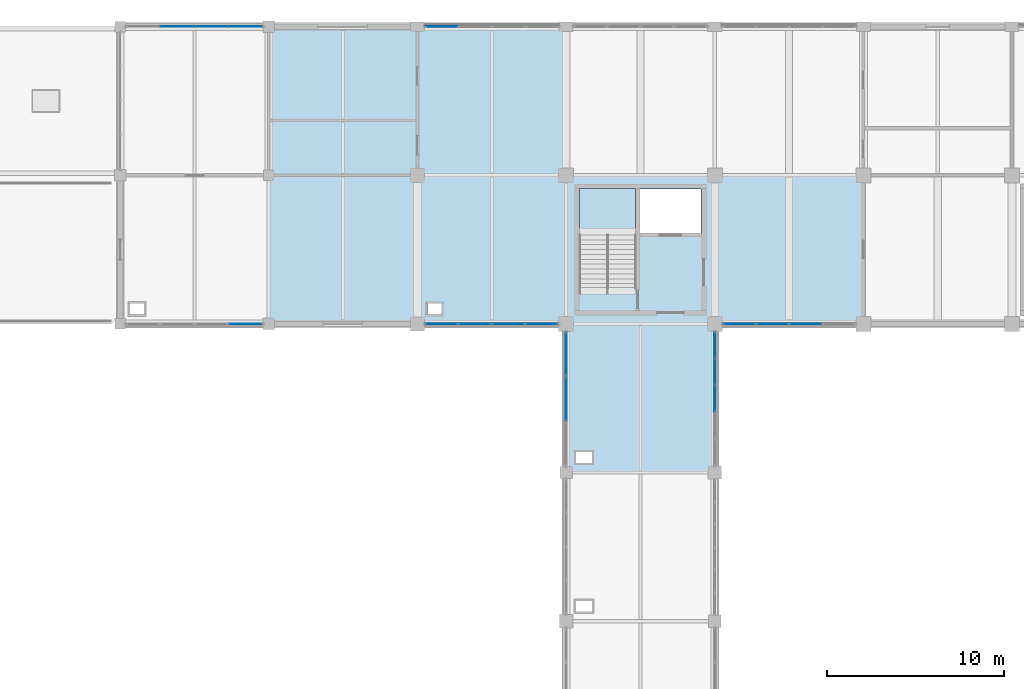
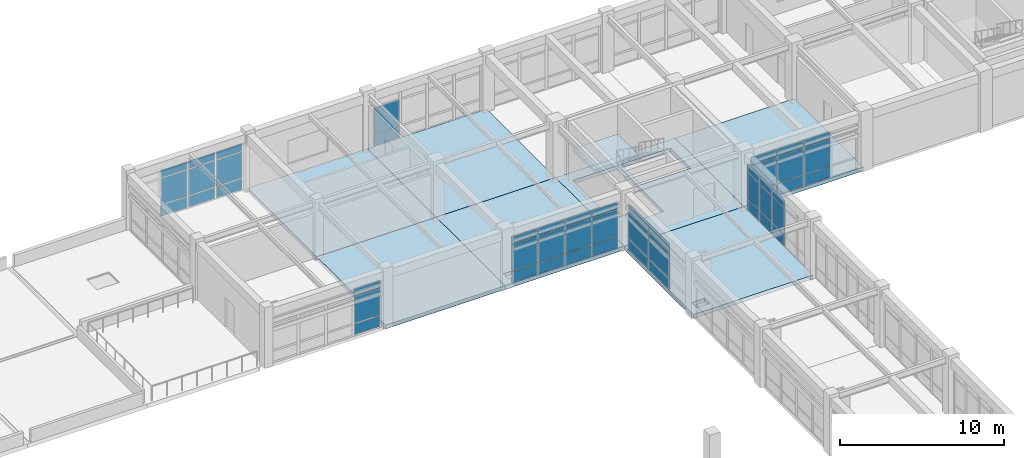
# One storey, part 48 of 78: 50 plates, 8 slabs, 8 elements without a shape of their own.
"""IFC4 building model written with IfcOpenShell, lengths in metres."""

from ifc_helpers import new_model, si_unit, direction, frame, origin, origin_2d, place, context, subcontext, project, spatial, polyline, rectangle, outline, extrude, material, layer, layer_set, type_object, element, aggregate, save


model = new_model("IFC4")

# Units and contexts
model_context = context("Model", 3, precision=1e-05, world=origin(), true_north=direction((0.0, 1.0)))
body_context = subcontext(model_context, "Body", "Model", "MODEL_VIEW")
ifc_project = project(units=[si_unit("LENGTHUNIT", "METRE"), si_unit("AREAUNIT", "SQUARE_METRE"), si_unit("VOLUMEUNIT", "CUBIC_METRE"), si_unit("PLANEANGLEUNIT", "RADIAN"), si_unit("MASSUNIT", "GRAM", prefix="KILO")], contexts=[model_context])

# Site, building, storey
site_placement = place(None, origin())
site = spatial("IfcSite", under=ifc_project, at=site_placement, CompositionType="ELEMENT")
building_placement = place(site_placement, origin())
building = spatial("IfcBuilding", under=site, at=building_placement, Name="Porcellanite Civic Hall", CompositionType="ELEMENT")
storey_placement = place(building_placement, frame((0.0, 0.0, 10.260009765625)))
storey = spatial("IfcBuildingStorey", under=building, at=storey_placement, Name="L02", CompositionType="ELEMENT", Elevation=10.260009765625)

# Curtain wall, plates
ifc_material_1 = material(Name="Anodised aluminium and solar laminated glass", Category="aluminium")
ifc_layer_1 = layer(ifc_material_1, 0.179931640625)
ifc_layer_set_1 = layer_set([ifc_layer_1], Name="Anodised aluminium and solar laminated glass")
curtain_wall_type_1 = type_object("IfcCurtainWallType", Name="CW-SYS06", PredefinedType="NOTDEFINED", material=ifc_layer_set_1)
curtain_wall_1_placement = place(storey_placement, origin())
curtain_wall_1 = element("IfcCurtainWall", 1, at=curtain_wall_1_placement, inside=storey, type_object=curtain_wall_type_1, Name="Curtain wall CW-140", PredefinedType="NOTDEFINED")
ifc_material_2 = material(Name="Cyclone laminated solar-control low-E glass", Category="glass")
ifc_layer_2 = layer(ifc_material_2, 0.02392578125)
ifc_layer_set_2 = layer_set([ifc_layer_2], Name="Cyclone laminated solar-control low-E glass")
plate_type_1 = type_object("IfcPlateType", Name="CWP-01", PredefinedType="CURTAIN_PANEL", material=ifc_layer_set_2)
plate_1_placement = place(storey_placement, frame((43.366943359375, 117.60009765625, 0.0498046875), z_axis=(0.0, 0.0, 1.0), x_axis=(1.0, 0.0, 0.0)))
plate_1 = element("IfcPlate", 2, at=plate_1_placement, type_object=plate_type_1, Name="CW-140 panel 1.1", PredefinedType="CURTAIN_PANEL", context=body_context, shape_type="SweptSolid", body=[
    extrude(rectangle(XDim=1.802001953125, YDim=0.02392578125, at=origin_2d()), origin(), (0.0, 0.0, 1.0), 0.824951171875),
])
plate_2_placement = place(storey_placement, frame((43.366943359375, 117.60009765625, 0.925048828125), z_axis=(0.0, 0.0, 1.0), x_axis=(1.0, 0.0, 0.0)))
plate_2 = element("IfcPlate", 3, at=plate_2_placement, type_object=plate_type_1, Name="CW-140 panel 1.2", PredefinedType="CURTAIN_PANEL", context=body_context, shape_type="SweptSolid", body=[
    extrude(rectangle(XDim=1.802001953125, YDim=0.02392578125, at=origin_2d()), origin(), (0.0, 0.0, 1.0), 1.93994140625),
])
aggregate(curtain_wall_1, [plate_1, plate_2])

ifc_material_3 = material(Name="Anodised aluminium and solar laminated glass", Category="aluminium")
ifc_layer_3 = layer(ifc_material_3, 0.179931640625)
ifc_layer_set_3 = layer_set([ifc_layer_3], Name="Anodised aluminium and solar laminated glass")
curtain_wall_type_2 = type_object("IfcCurtainWallType", Name="CW-SYS04", PredefinedType="NOTDEFINED", material=ifc_layer_set_3)
curtain_wall_2_placement = place(storey_placement, origin())
curtain_wall_2 = element("IfcCurtainWall", 4, at=curtain_wall_2_placement, inside=storey, type_object=curtain_wall_type_2, Name="Curtain wall CW-151", PredefinedType="NOTDEFINED")
ifc_material_4 = material(Name="Cyclone laminated solar-control low-E glass", Category="glass")
ifc_layer_4 = layer(ifc_material_4, 0.02587890625)
ifc_layer_set_4 = layer_set([ifc_layer_4], Name="Cyclone laminated solar-control low-E glass")
plate_type_2 = type_object("IfcPlateType", Name="CWP-02", PredefinedType="CURTAIN_PANEL", material=ifc_layer_set_4)
plate_3_placement = place(storey_placement, frame((63.943603515625, 100.800048828125, 0.054931640625), z_axis=(0.0, 0.0, 1.0), x_axis=(-1.0, 0.0, 0.0)))
plate_3 = element("IfcPlate", 5, at=plate_3_placement, type_object=plate_type_2, Name="CW-151 panel 2.1", PredefinedType="CURTAIN_PANEL", context=body_context, shape_type="SweptSolid", body=[
    extrude(rectangle(XDim=1.81201171875, YDim=0.02587890625, at=origin_2d()), origin(), (0.0, 0.0, 1.0), 0.8173828125),
])
plate_4_placement = place(storey_placement, frame((63.943603515625, 100.800048828125, 0.927490234375), z_axis=(0.0, 0.0, 1.0), x_axis=(-1.0, 0.0, 0.0)))
plate_4 = element("IfcPlate", 6, at=plate_4_placement, type_object=plate_type_2, Name="CW-151 panel 2.2", PredefinedType="CURTAIN_PANEL", context=body_context, shape_type="SweptSolid", body=[
    extrude(rectangle(XDim=1.81201171875, YDim=0.02587890625, at=origin_2d()), origin(), (0.0, 0.0, 1.0), 1.93505859375),
])
plate_5_placement = place(storey_placement, frame((63.943603515625, 100.800048828125, 2.91748046875), z_axis=(0.0, 0.0, 1.0), x_axis=(-1.0, 0.0, 0.0)))
plate_5 = element("IfcPlate", 7, at=plate_5_placement, type_object=plate_type_2, Name="CW-151 panel 2.3", PredefinedType="CURTAIN_PANEL", context=body_context, shape_type="SweptSolid", body=[
    extrude(rectangle(XDim=1.81201171875, YDim=0.02587890625, at=origin_2d()), origin(), (0.0, 0.0, 1.0), 0.5673828125),
])
plate_6_placement = place(storey_placement, frame((62.056396484375, 100.800048828125, 0.054931640625), z_axis=(0.0, 0.0, 1.0), x_axis=(-1.0, 0.0, 0.0)))
plate_6 = element("IfcPlate", 8, at=plate_6_placement, type_object=plate_type_2, Name="CW-151 panel 3.1", PredefinedType="CURTAIN_PANEL", context=body_context, shape_type="SweptSolid", body=[
    extrude(rectangle(XDim=1.81201171875, YDim=0.02587890625, at=origin_2d()), origin(), (0.0, 0.0, 1.0), 0.8173828125),
])
plate_7_placement = place(storey_placement, frame((62.056396484375, 100.800048828125, 0.927490234375), z_axis=(0.0, 0.0, 1.0), x_axis=(-1.0, 0.0, 0.0)))
plate_7 = element("IfcPlate", 9, at=plate_7_placement, type_object=plate_type_2, Name="CW-151 panel 3.2", PredefinedType="CURTAIN_PANEL", context=body_context, shape_type="SweptSolid", body=[
    extrude(rectangle(XDim=1.81201171875, YDim=0.02587890625, at=origin_2d()), origin(), (0.0, 0.0, 1.0), 1.93505859375),
])
plate_8_placement = place(storey_placement, frame((62.056396484375, 100.800048828125, 2.91748046875), z_axis=(0.0, 0.0, 1.0), x_axis=(-1.0, 0.0, 0.0)))
plate_8 = element("IfcPlate", 10, at=plate_8_placement, type_object=plate_type_2, Name="CW-151 panel 3.3", PredefinedType="CURTAIN_PANEL", context=body_context, shape_type="SweptSolid", body=[
    extrude(rectangle(XDim=1.81201171875, YDim=0.02587890625, at=origin_2d()), origin(), (0.0, 0.0, 1.0), 0.5673828125),
])
plate_9_placement = place(storey_placement, frame((60.188232421875, 100.800048828125, 0.054931640625), z_axis=(0.0, 0.0, 1.0), x_axis=(-1.0, 0.0, 0.0)))
plate_9 = element("IfcPlate", 11, at=plate_9_placement, type_object=plate_type_2, Name="CW-151 panel 4.1", PredefinedType="CURTAIN_PANEL", context=body_context, shape_type="SweptSolid", body=[
    extrude(rectangle(XDim=1.7744140625, YDim=0.02587890625, at=origin_2d()), origin(), (0.0, 0.0, 1.0), 0.8173828125),
])
plate_10_placement = place(storey_placement, frame((60.188232421875, 100.800048828125, 0.927490234375), z_axis=(0.0, 0.0, 1.0), x_axis=(-1.0, 0.0, 0.0)))
plate_10 = element("IfcPlate", 12, at=plate_10_placement, type_object=plate_type_2, Name="CW-151 panel 4.2", PredefinedType="CURTAIN_PANEL", context=body_context, shape_type="SweptSolid", body=[
    extrude(rectangle(XDim=1.7744140625, YDim=0.02587890625, at=origin_2d()), origin(), (0.0, 0.0, 1.0), 1.93505859375),
])
plate_11_placement = place(storey_placement, frame((60.188232421875, 100.800048828125, 2.91748046875), z_axis=(0.0, 0.0, 1.0), x_axis=(-1.0, 0.0, 0.0)))
plate_11 = element("IfcPlate", 13, at=plate_11_placement, type_object=plate_type_2, Name="CW-151 panel 4.3", PredefinedType="CURTAIN_PANEL", context=body_context, shape_type="SweptSolid", body=[
    extrude(rectangle(XDim=1.7744140625, YDim=0.02587890625, at=origin_2d()), origin(), (0.0, 0.0, 1.0), 0.5673828125),
])
aggregate(curtain_wall_2, [plate_3, plate_4, plate_5, plate_6, plate_7, plate_8, plate_9, plate_10, plate_11])

ifc_material_5 = material(Name="Anodised aluminium and solar laminated glass", Category="aluminium")
ifc_layer_5 = layer(ifc_material_5, 0.179931640625)
ifc_layer_set_5 = layer_set([ifc_layer_5], Name="Anodised aluminium and solar laminated glass")
curtain_wall_type_3 = type_object("IfcCurtainWallType", Name="CW-SYS05", PredefinedType="NOTDEFINED", material=ifc_layer_set_5)
curtain_wall_3_placement = place(storey_placement, origin())
curtain_wall_3 = element("IfcCurtainWall", 14, at=curtain_wall_3_placement, inside=storey, type_object=curtain_wall_type_3, Name="Curtain wall CW-136", PredefinedType="NOTDEFINED")
ifc_material_6 = material(Name="Cyclone laminated solar-control low-E glass", Category="glass")
ifc_layer_6 = layer(ifc_material_6, 0.028076171875)
ifc_layer_set_6 = layer_set([ifc_layer_6], Name="Cyclone laminated solar-control low-E glass")
plate_type_3 = type_object("IfcPlateType", Name="CWP-03", PredefinedType="CURTAIN_PANEL", material=ifc_layer_set_6)
plate_12_placement = place(storey_placement, frame((32.284912109375, 100.800048828125, 0.06005859375), z_axis=(0.0, 0.0, 1.0), x_axis=(-1.0, 0.0, 0.0)))
plate_12 = element("IfcPlate", 15, at=plate_12_placement, type_object=plate_type_3, Name="CW-136 panel 1.1", PredefinedType="CURTAIN_PANEL", context=body_context, shape_type="SweptSolid", body=[
    extrude(rectangle(XDim=1.838134765625, YDim=0.028076171875, at=origin_2d()), origin(), (0.0, 0.0, 1.0), 0.81005859375),
])
plate_13_placement = place(storey_placement, frame((32.284912109375, 100.800048828125, 0.93017578125), z_axis=(0.0, 0.0, 1.0), x_axis=(-1.0, 0.0, 0.0)))
plate_13 = element("IfcPlate", 16, at=plate_13_placement, type_object=plate_type_3, Name="CW-136 panel 1.2", PredefinedType="CURTAIN_PANEL", context=body_context, shape_type="SweptSolid", body=[
    extrude(rectangle(XDim=1.838134765625, YDim=0.028076171875, at=origin_2d()), origin(), (0.0, 0.0, 1.0), 1.929931640625),
])
plate_14_placement = place(storey_placement, frame((32.284912109375, 100.800048828125, 2.919921875), z_axis=(0.0, 0.0, 1.0), x_axis=(-1.0, 0.0, 0.0)))
plate_14 = element("IfcPlate", 17, at=plate_14_placement, type_object=plate_type_3, Name="CW-136 panel 1.3", PredefinedType="CURTAIN_PANEL", context=body_context, shape_type="SweptSolid", body=[
    extrude(rectangle(XDim=1.838134765625, YDim=0.028076171875, at=origin_2d()), origin(), (0.0, 0.0, 1.0), 0.56005859375),
])
aggregate(curtain_wall_3, [plate_12, plate_13, plate_14])

curtain_wall_4_placement = place(storey_placement, origin())
curtain_wall_4 = element("IfcCurtainWall", 18, at=curtain_wall_4_placement, inside=storey, type_object=curtain_wall_type_3, Name="Curtain wall CW-138", PredefinedType="NOTDEFINED")
plate_15_placement = place(storey_placement, frame((28.415771484375, 117.60009765625, 0.06005859375), z_axis=(0.0, 0.0, 1.0), x_axis=(1.0, 0.0, 0.0)))
plate_15 = element("IfcPlate", 19, at=plate_15_placement, type_object=plate_type_3, Name="CW-138 panel 2.1", PredefinedType="CURTAIN_PANEL", context=body_context, shape_type="SweptSolid", body=[
    extrude(rectangle(XDim=1.873291015625, YDim=0.028076171875, at=origin_2d()), origin(), (0.0, 0.0, 1.0), 0.81005859375),
])
plate_16_placement = place(storey_placement, frame((28.415771484375, 117.60009765625, 0.93017578125), z_axis=(0.0, 0.0, 1.0), x_axis=(1.0, 0.0, 0.0)))
plate_16 = element("IfcPlate", 20, at=plate_16_placement, type_object=plate_type_3, Name="CW-138 panel 2.2", PredefinedType="CURTAIN_PANEL", context=body_context, shape_type="SweptSolid", body=[
    extrude(rectangle(XDim=1.873291015625, YDim=0.028076171875, at=origin_2d()), origin(), (0.0, 0.0, 1.0), 1.929931640625),
])
plate_17_placement = place(storey_placement, frame((28.415771484375, 117.60009765625, 2.919921875), z_axis=(0.0, 0.0, 1.0), x_axis=(1.0, 0.0, 0.0)))
plate_17 = element("IfcPlate", 21, at=plate_17_placement, type_object=plate_type_3, Name="CW-138 panel 2.3", PredefinedType="CURTAIN_PANEL", context=body_context, shape_type="SweptSolid", body=[
    extrude(rectangle(XDim=1.873291015625, YDim=0.028076171875, at=origin_2d()), origin(), (0.0, 0.0, 1.0), 0.56005859375),
])
plate_18_placement = place(storey_placement, frame((30.359130859375, 117.60009765625, 0.06005859375), z_axis=(0.0, 0.0, 1.0), x_axis=(1.0, 0.0, 0.0)))
plate_18 = element("IfcPlate", 22, at=plate_18_placement, type_object=plate_type_3, Name="CW-138 panel 3.1", PredefinedType="CURTAIN_PANEL", context=body_context, shape_type="SweptSolid", body=[
    extrude(rectangle(XDim=1.873291015625, YDim=0.028076171875, at=origin_2d()), origin(), (0.0, 0.0, 1.0), 0.81005859375),
])
plate_19_placement = place(storey_placement, frame((30.359130859375, 117.60009765625, 0.93017578125), z_axis=(0.0, 0.0, 1.0), x_axis=(1.0, 0.0, 0.0)))
plate_19 = element("IfcPlate", 23, at=plate_19_placement, type_object=plate_type_3, Name="CW-138 panel 3.2", PredefinedType="CURTAIN_PANEL", context=body_context, shape_type="SweptSolid", body=[
    extrude(rectangle(XDim=1.873291015625, YDim=0.028076171875, at=origin_2d()), origin(), (0.0, 0.0, 1.0), 1.929931640625),
])
plate_20_placement = place(storey_placement, frame((30.359130859375, 117.60009765625, 2.919921875), z_axis=(0.0, 0.0, 1.0), x_axis=(1.0, 0.0, 0.0)))
plate_20 = element("IfcPlate", 24, at=plate_20_placement, type_object=plate_type_3, Name="CW-138 panel 3.3", PredefinedType="CURTAIN_PANEL", context=body_context, shape_type="SweptSolid", body=[
    extrude(rectangle(XDim=1.873291015625, YDim=0.028076171875, at=origin_2d()), origin(), (0.0, 0.0, 1.0), 0.56005859375),
])
plate_21_placement = place(storey_placement, frame((32.284912109375, 117.60009765625, 0.06005859375), z_axis=(0.0, 0.0, 1.0), x_axis=(1.0, 0.0, 0.0)))
plate_21 = element("IfcPlate", 25, at=plate_21_placement, type_object=plate_type_3, Name="CW-138 panel 4.1", PredefinedType="CURTAIN_PANEL", context=body_context, shape_type="SweptSolid", body=[
    extrude(rectangle(XDim=1.838134765625, YDim=0.028076171875, at=origin_2d()), origin(), (0.0, 0.0, 1.0), 0.81005859375),
])
plate_22_placement = place(storey_placement, frame((32.284912109375, 117.60009765625, 0.93017578125), z_axis=(0.0, 0.0, 1.0), x_axis=(1.0, 0.0, 0.0)))
plate_22 = element("IfcPlate", 26, at=plate_22_placement, type_object=plate_type_3, Name="CW-138 panel 4.2", PredefinedType="CURTAIN_PANEL", context=body_context, shape_type="SweptSolid", body=[
    extrude(rectangle(XDim=1.838134765625, YDim=0.028076171875, at=origin_2d()), origin(), (0.0, 0.0, 1.0), 1.929931640625),
])
plate_23_placement = place(storey_placement, frame((32.284912109375, 117.60009765625, 2.919921875), z_axis=(0.0, 0.0, 1.0), x_axis=(1.0, 0.0, 0.0)))
plate_23 = element("IfcPlate", 27, at=plate_23_placement, type_object=plate_type_3, Name="CW-138 panel 4.3", PredefinedType="CURTAIN_PANEL", context=body_context, shape_type="SweptSolid", body=[
    extrude(rectangle(XDim=1.838134765625, YDim=0.028076171875, at=origin_2d()), origin(), (0.0, 0.0, 1.0), 0.56005859375),
])
aggregate(curtain_wall_4, [plate_15, plate_16, plate_17, plate_18, plate_19, plate_20, plate_21, plate_22, plate_23])

ifc_material_7 = material(Name="Anodised aluminium and solar laminated glass", Category="aluminium")
ifc_layer_7 = layer(ifc_material_7, 0.179931640625)
ifc_layer_set_7 = layer_set([ifc_layer_7], Name="Anodised aluminium and solar laminated glass")
curtain_wall_type_4 = type_object("IfcCurtainWallType", Name="CW-SYS08", PredefinedType="NOTDEFINED", material=ifc_layer_set_7)
curtain_wall_5_placement = place(storey_placement, origin())
curtain_wall_5 = element("IfcCurtainWall", 28, at=curtain_wall_5_placement, inside=storey, type_object=curtain_wall_type_4, Name="Curtain wall CW-148", PredefinedType="NOTDEFINED")
ifc_material_8 = material(Name="Insulated ochre aluminium spandrel panel", Category="aluminium")
ifc_layer_8 = layer(ifc_material_8, 0.0419921875)
ifc_layer_set_8 = layer_set([ifc_layer_8], Name="Insulated ochre aluminium spandrel panel")
plate_type_4 = type_object("IfcPlateType", Name="CWP-09", PredefinedType="CURTAIN_PANEL", material=ifc_layer_set_8)
plate_24_placement = place(storey_placement, frame((50.39990234375, 96.5625, 0.070068359375), z_axis=(0.0, 0.0, 1.0), x_axis=(0.0, 1.0, 0.0)))
plate_24 = element("IfcPlate", 29, at=plate_24_placement, type_object=plate_type_4, Name="CW-148 panel 2.1", PredefinedType="CURTAIN_PANEL", context=body_context, shape_type="SweptSolid", body=[
    extrude(rectangle(XDim=2.4609375, YDim=0.0419921875, at=origin_2d()), origin(), (0.0, 0.0, 1.0), 0.794921875),
])
plate_25_placement = place(storey_placement, frame((50.39990234375, 96.5625, 0.93505859375), z_axis=(0.0, 0.0, 1.0), x_axis=(0.0, 1.0, 0.0)))
plate_25 = element("IfcPlate", 30, at=plate_25_placement, type_object=plate_type_4, Name="CW-148 panel 2.2", PredefinedType="CURTAIN_PANEL", context=body_context, shape_type="SweptSolid", body=[
    extrude(rectangle(XDim=2.4609375, YDim=0.0419921875, at=origin_2d()), origin(), (0.0, 0.0, 1.0), 1.919921875),
])
plate_26_placement = place(storey_placement, frame((50.39990234375, 96.5625, 2.925048828125), z_axis=(0.0, 0.0, 1.0), x_axis=(0.0, 1.0, 0.0)))
plate_26 = element("IfcPlate", 31, at=plate_26_placement, type_object=plate_type_4, Name="CW-148 panel 2.3", PredefinedType="CURTAIN_PANEL", context=body_context, shape_type="SweptSolid", body=[
    extrude(rectangle(XDim=2.4609375, YDim=0.0419921875, at=origin_2d()), origin(), (0.0, 0.0, 1.0), 0.544921875),
])
plate_27_placement = place(storey_placement, frame((50.39990234375, 99.08349609375, 0.070068359375), z_axis=(0.0, 0.0, 1.0), x_axis=(0.0, 1.0, 0.0)))
plate_27 = element("IfcPlate", 32, at=plate_27_placement, type_object=plate_type_4, Name="CW-148 panel 3.1", PredefinedType="CURTAIN_PANEL", context=body_context, shape_type="SweptSolid", body=[
    extrude(rectangle(XDim=2.4208984375, YDim=0.0419921875, at=origin_2d()), origin(), (0.0, 0.0, 1.0), 0.794921875),
])
plate_28_placement = place(storey_placement, frame((50.39990234375, 99.08349609375, 0.93505859375), z_axis=(0.0, 0.0, 1.0), x_axis=(0.0, 1.0, 0.0)))
plate_28 = element("IfcPlate", 33, at=plate_28_placement, type_object=plate_type_4, Name="CW-148 panel 3.2", PredefinedType="CURTAIN_PANEL", context=body_context, shape_type="SweptSolid", body=[
    extrude(rectangle(XDim=2.4208984375, YDim=0.0419921875, at=origin_2d()), origin(), (0.0, 0.0, 1.0), 1.919921875),
])
plate_29_placement = place(storey_placement, frame((50.39990234375, 99.08349609375, 2.925048828125), z_axis=(0.0, 0.0, 1.0), x_axis=(0.0, 1.0, 0.0)))
plate_29 = element("IfcPlate", 34, at=plate_29_placement, type_object=plate_type_4, Name="CW-148 panel 3.3", PredefinedType="CURTAIN_PANEL", context=body_context, shape_type="SweptSolid", body=[
    extrude(rectangle(XDim=2.4208984375, YDim=0.0419921875, at=origin_2d()), origin(), (0.0, 0.0, 1.0), 0.544921875),
])
aggregate(curtain_wall_5, [plate_24, plate_25, plate_26, plate_27, plate_28, plate_29])

curtain_wall_6_placement = place(storey_placement, origin())
curtain_wall_6 = element("IfcCurtainWall", 35, at=curtain_wall_6_placement, inside=storey, type_object=curtain_wall_type_2, Name="Curtain wall CW-139", PredefinedType="NOTDEFINED")
ifc_material_9 = material(Name="Insulated ochre aluminium spandrel panel", Category="aluminium")
ifc_layer_9 = layer(ifc_material_9, 0.0458984375)
ifc_layer_set_9 = layer_set([ifc_layer_9], Name="Insulated ochre aluminium spandrel panel")
plate_type_5 = type_object("IfcPlateType", Name="CWP-10", PredefinedType="CURTAIN_PANEL", material=ifc_layer_set_9)
plate_30_placement = place(storey_placement, frame((49.008544921875, 100.800048828125, 0.054931640625), z_axis=(0.0, 0.0, 1.0), x_axis=(-1.0, 0.0, 0.0)))
plate_30 = element("IfcPlate", 36, at=plate_30_placement, type_object=plate_type_5, Name="CW-139 panel 1.1", PredefinedType="CURTAIN_PANEL", context=body_context, shape_type="SweptSolid", body=[
    extrude(rectangle(XDim=1.78076171875, YDim=0.0458984375, at=origin_2d()), origin(), (0.0, 0.0, 1.0), 0.8173828125),
])
plate_31_placement = place(storey_placement, frame((49.008544921875, 100.800048828125, 0.927490234375), z_axis=(0.0, 0.0, 1.0), x_axis=(-1.0, 0.0, 0.0)))
plate_31 = element("IfcPlate", 37, at=plate_31_placement, type_object=plate_type_5, Name="CW-139 panel 1.2", PredefinedType="CURTAIN_PANEL", context=body_context, shape_type="SweptSolid", body=[
    extrude(rectangle(XDim=1.78076171875, YDim=0.0458984375, at=origin_2d()), origin(), (0.0, 0.0, 1.0), 1.93505859375),
])
plate_32_placement = place(storey_placement, frame((49.008544921875, 100.800048828125, 2.91748046875), z_axis=(0.0, 0.0, 1.0), x_axis=(-1.0, 0.0, 0.0)))
plate_32 = element("IfcPlate", 38, at=plate_32_placement, type_object=plate_type_5, Name="CW-139 panel 1.3", PredefinedType="CURTAIN_PANEL", context=body_context, shape_type="SweptSolid", body=[
    extrude(rectangle(XDim=1.78076171875, YDim=0.0458984375, at=origin_2d()), origin(), (0.0, 0.0, 1.0), 0.5673828125),
])
plate_33_placement = place(storey_placement, frame((47.134033203125, 100.800048828125, 0.054931640625), z_axis=(0.0, 0.0, 1.0), x_axis=(-1.0, 0.0, 0.0)))
plate_33 = element("IfcPlate", 39, at=plate_33_placement, type_object=plate_type_5, Name="CW-139 panel 2.1", PredefinedType="CURTAIN_PANEL", context=body_context, shape_type="SweptSolid", body=[
    extrude(rectangle(XDim=1.818359375, YDim=0.0458984375, at=origin_2d()), origin(), (0.0, 0.0, 1.0), 0.8173828125),
])
plate_34_placement = place(storey_placement, frame((47.134033203125, 100.800048828125, 0.927490234375), z_axis=(0.0, 0.0, 1.0), x_axis=(-1.0, 0.0, 0.0)))
plate_34 = element("IfcPlate", 40, at=plate_34_placement, type_object=plate_type_5, Name="CW-139 panel 2.2", PredefinedType="CURTAIN_PANEL", context=body_context, shape_type="SweptSolid", body=[
    extrude(rectangle(XDim=1.818359375, YDim=0.0458984375, at=origin_2d()), origin(), (0.0, 0.0, 1.0), 1.93505859375),
])
plate_35_placement = place(storey_placement, frame((47.134033203125, 100.800048828125, 2.91748046875), z_axis=(0.0, 0.0, 1.0), x_axis=(-1.0, 0.0, 0.0)))
plate_35 = element("IfcPlate", 41, at=plate_35_placement, type_object=plate_type_5, Name="CW-139 panel 2.3", PredefinedType="CURTAIN_PANEL", context=body_context, shape_type="SweptSolid", body=[
    extrude(rectangle(XDim=1.818359375, YDim=0.0458984375, at=origin_2d()), origin(), (0.0, 0.0, 1.0), 0.5673828125),
])
plate_36_placement = place(storey_placement, frame((45.240966796875, 100.800048828125, 0.054931640625), z_axis=(0.0, 0.0, 1.0), x_axis=(-1.0, 0.0, 0.0)))
plate_36 = element("IfcPlate", 42, at=plate_36_placement, type_object=plate_type_5, Name="CW-139 panel 3.1", PredefinedType="CURTAIN_PANEL", context=body_context, shape_type="SweptSolid", body=[
    extrude(rectangle(XDim=1.818359375, YDim=0.0458984375, at=origin_2d()), origin(), (0.0, 0.0, 1.0), 0.8173828125),
])
plate_37_placement = place(storey_placement, frame((45.240966796875, 100.800048828125, 0.927490234375), z_axis=(0.0, 0.0, 1.0), x_axis=(-1.0, 0.0, 0.0)))
plate_37 = element("IfcPlate", 43, at=plate_37_placement, type_object=plate_type_5, Name="CW-139 panel 3.2", PredefinedType="CURTAIN_PANEL", context=body_context, shape_type="SweptSolid", body=[
    extrude(rectangle(XDim=1.818359375, YDim=0.0458984375, at=origin_2d()), origin(), (0.0, 0.0, 1.0), 1.93505859375),
])
plate_38_placement = place(storey_placement, frame((45.240966796875, 100.800048828125, 2.91748046875), z_axis=(0.0, 0.0, 1.0), x_axis=(-1.0, 0.0, 0.0)))
plate_38 = element("IfcPlate", 44, at=plate_38_placement, type_object=plate_type_5, Name="CW-139 panel 3.3", PredefinedType="CURTAIN_PANEL", context=body_context, shape_type="SweptSolid", body=[
    extrude(rectangle(XDim=1.818359375, YDim=0.0458984375, at=origin_2d()), origin(), (0.0, 0.0, 1.0), 0.5673828125),
])
plate_39_placement = place(storey_placement, frame((43.366455078125, 100.800048828125, 0.054931640625), z_axis=(0.0, 0.0, 1.0), x_axis=(-1.0, 0.0, 0.0)))
plate_39 = element("IfcPlate", 45, at=plate_39_placement, type_object=plate_type_5, Name="CW-139 panel 4.1", PredefinedType="CURTAIN_PANEL", context=body_context, shape_type="SweptSolid", body=[
    extrude(rectangle(XDim=1.78076171875, YDim=0.0458984375, at=origin_2d()), origin(), (0.0, 0.0, 1.0), 0.8173828125),
])
plate_40_placement = place(storey_placement, frame((43.366455078125, 100.800048828125, 0.927490234375), z_axis=(0.0, 0.0, 1.0), x_axis=(-1.0, 0.0, 0.0)))
plate_40 = element("IfcPlate", 46, at=plate_40_placement, type_object=plate_type_5, Name="CW-139 panel 4.2", PredefinedType="CURTAIN_PANEL", context=body_context, shape_type="SweptSolid", body=[
    extrude(rectangle(XDim=1.78076171875, YDim=0.0458984375, at=origin_2d()), origin(), (0.0, 0.0, 1.0), 1.93505859375),
])
plate_41_placement = place(storey_placement, frame((43.366455078125, 100.800048828125, 2.91748046875), z_axis=(0.0, 0.0, 1.0), x_axis=(-1.0, 0.0, 0.0)))
plate_41 = element("IfcPlate", 47, at=plate_41_placement, type_object=plate_type_5, Name="CW-139 panel 4.3", PredefinedType="CURTAIN_PANEL", context=body_context, shape_type="SweptSolid", body=[
    extrude(rectangle(XDim=1.78076171875, YDim=0.0458984375, at=origin_2d()), origin(), (0.0, 0.0, 1.0), 0.5673828125),
])
aggregate(curtain_wall_6, [plate_30, plate_31, plate_32, plate_33, plate_34, plate_35, plate_36, plate_37, plate_38, plate_39, plate_40, plate_41])

ifc_material_10 = material(Name="Anodised aluminium and solar laminated glass", Category="aluminium")
ifc_layer_10 = layer(ifc_material_10, 0.179931640625)
ifc_layer_set_10 = layer_set([ifc_layer_10], Name="Anodised aluminium and solar laminated glass")
curtain_wall_type_5 = type_object("IfcCurtainWallType", Name="CW-SYS01", PredefinedType="NOTDEFINED", material=ifc_layer_set_10)
curtain_wall_7_placement = place(storey_placement, origin())
curtain_wall_7 = element("IfcCurtainWall", 48, at=curtain_wall_7_placement, inside=storey, type_object=curtain_wall_type_5, Name="Curtain wall CW-149", PredefinedType="NOTDEFINED")
plate_42_placement = place(storey_placement, frame((58.800048828125, 99.5966796875, 0.06005859375), z_axis=(0.0, 0.0, 1.0), x_axis=(0.0, -1.0, 0.0)))
plate_42 = element("IfcPlate", 49, at=plate_42_placement, type_object=plate_type_5, Name="CW-149 panel 1.1", PredefinedType="CURTAIN_PANEL", context=body_context, shape_type="SweptSolid", body=[
    extrude(rectangle(XDim=1.41455078125, YDim=0.0458984375, at=origin_2d()), origin(), (0.0, 0.0, 1.0), 0.81005859375),
])
plate_43_placement = place(storey_placement, frame((58.800048828125, 99.5966796875, 0.93017578125), z_axis=(0.0, 0.0, 1.0), x_axis=(0.0, -1.0, 0.0)))
plate_43 = element("IfcPlate", 50, at=plate_43_placement, type_object=plate_type_5, Name="CW-149 panel 1.2", PredefinedType="CURTAIN_PANEL", context=body_context, shape_type="SweptSolid", body=[
    extrude(rectangle(XDim=1.41455078125, YDim=0.0458984375, at=origin_2d()), origin(), (0.0, 0.0, 1.0), 1.929931640625),
])
plate_44_placement = place(storey_placement, frame((58.800048828125, 99.5966796875, 2.919921875), z_axis=(0.0, 0.0, 1.0), x_axis=(0.0, -1.0, 0.0)))
plate_44 = element("IfcPlate", 51, at=plate_44_placement, type_object=plate_type_5, Name="CW-149 panel 1.3", PredefinedType="CURTAIN_PANEL", context=body_context, shape_type="SweptSolid", body=[
    extrude(rectangle(XDim=1.41455078125, YDim=0.0458984375, at=origin_2d()), origin(), (0.0, 0.0, 1.0), 0.56005859375),
])
plate_45_placement = place(storey_placement, frame((58.800048828125, 98.094482421875, 0.06005859375), z_axis=(0.0, 0.0, 1.0), x_axis=(0.0, -1.0, 0.0)))
plate_45 = element("IfcPlate", 52, at=plate_45_placement, type_object=plate_type_5, Name="CW-149 panel 2.1", PredefinedType="CURTAIN_PANEL", context=body_context, shape_type="SweptSolid", body=[
    extrude(rectangle(XDim=1.44970703125, YDim=0.0458984375, at=origin_2d()), origin(), (0.0, 0.0, 1.0), 0.81005859375),
])
plate_46_placement = place(storey_placement, frame((58.800048828125, 98.094482421875, 0.93017578125), z_axis=(0.0, 0.0, 1.0), x_axis=(0.0, -1.0, 0.0)))
plate_46 = element("IfcPlate", 53, at=plate_46_placement, type_object=plate_type_5, Name="CW-149 panel 2.2", PredefinedType="CURTAIN_PANEL", context=body_context, shape_type="SweptSolid", body=[
    extrude(rectangle(XDim=1.44970703125, YDim=0.0458984375, at=origin_2d()), origin(), (0.0, 0.0, 1.0), 1.929931640625),
])
plate_47_placement = place(storey_placement, frame((58.800048828125, 98.094482421875, 2.919921875), z_axis=(0.0, 0.0, 1.0), x_axis=(0.0, -1.0, 0.0)))
plate_47 = element("IfcPlate", 54, at=plate_47_placement, type_object=plate_type_5, Name="CW-149 panel 2.3", PredefinedType="CURTAIN_PANEL", context=body_context, shape_type="SweptSolid", body=[
    extrude(rectangle(XDim=1.44970703125, YDim=0.0458984375, at=origin_2d()), origin(), (0.0, 0.0, 1.0), 0.56005859375),
])
plate_48_placement = place(storey_placement, frame((58.800048828125, 96.574951171875, 0.06005859375), z_axis=(0.0, 0.0, 1.0), x_axis=(0.0, -1.0, 0.0)))
plate_48 = element("IfcPlate", 55, at=plate_48_placement, type_object=plate_type_5, Name="CW-149 panel 3.1", PredefinedType="CURTAIN_PANEL", context=body_context, shape_type="SweptSolid", body=[
    extrude(rectangle(XDim=1.44970703125, YDim=0.0458984375, at=origin_2d()), origin(), (0.0, 0.0, 1.0), 0.81005859375),
])
plate_49_placement = place(storey_placement, frame((58.800048828125, 96.574951171875, 0.93017578125), z_axis=(0.0, 0.0, 1.0), x_axis=(0.0, -1.0, 0.0)))
plate_49 = element("IfcPlate", 56, at=plate_49_placement, type_object=plate_type_5, Name="CW-149 panel 3.2", PredefinedType="CURTAIN_PANEL", context=body_context, shape_type="SweptSolid", body=[
    extrude(rectangle(XDim=1.44970703125, YDim=0.0458984375, at=origin_2d()), origin(), (0.0, 0.0, 1.0), 1.929931640625),
])
plate_50_placement = place(storey_placement, frame((58.800048828125, 96.574951171875, 2.919921875), z_axis=(0.0, 0.0, 1.0), x_axis=(0.0, -1.0, 0.0)))
plate_50 = element("IfcPlate", 57, at=plate_50_placement, type_object=plate_type_5, Name="CW-149 panel 3.3", PredefinedType="CURTAIN_PANEL", context=body_context, shape_type="SweptSolid", body=[
    extrude(rectangle(XDim=1.44970703125, YDim=0.0458984375, at=origin_2d()), origin(), (0.0, 0.0, 1.0), 0.56005859375),
])
aggregate(curtain_wall_7, [plate_42, plate_43, plate_44, plate_45, plate_46, plate_47, plate_48, plate_49, plate_50])

# Stair, slab
ifc_material_11 = material(Name="Concrete N40 (40 MPa)", Category="concrete")
stair_type = type_object("IfcStairType", Name="STR-HT25", PredefinedType="HALF_TURN_STAIR", material=ifc_material_11)
stair_placement = place(storey_placement, origin())
stair = element("IfcStair", 58, at=stair_placement, inside=storey, type_object=stair_type, Name="Fire stair ST-03 L02", PredefinedType="HALF_TURN_STAIR")
ifc_material_12 = material(Name="Concrete N40 (40 MPa)", Category="concrete")
ifc_layer_11 = layer(ifc_material_12, 0.179931640625)
ifc_layer_set_11 = layer_set([ifc_layer_11], Name="Concrete N40 (40 MPa)")
slab_type_1 = type_object("IfcSlabType", Name="LND-18", PredefinedType="LANDING", material=ifc_layer_set_11)
slab_1_placement = place(storey_placement, frame((0.0, 0.0, 2.159912109375)))
slab_1 = element("IfcSlab", 59, at=slab_1_placement, type_object=slab_type_1, Name="ST-03 landing 1", PredefinedType="LANDING", context=body_context, shape_type="SweptSolid", body=[
    extrude(outline(polyline([(51.160400390625, 105.824951171875), (54.319580078125, 105.824951171875), (54.319580078125, 108.439453125), (51.160400390625, 108.439453125), (51.160400390625, 105.824951171875)])), origin(), (0.0, 0.0, 1.0), 0.18017578125),
])
aggregate(stair, [slab_1])

# Slabs
ifc_material_13 = material(Name="Concrete N40 (40 MPa)", Category="concrete")
ifc_layer_12 = layer(ifc_material_13, 0.280029296875)
ifc_layer_set_12 = layer_set([ifc_layer_12], Name="Concrete N40 (40 MPa)")
slab_type_2 = type_object("IfcSlabType", Name="SL-FL280", PredefinedType="FLOOR", material=ifc_layer_set_12)
slab_2_placement = place(storey_placement, frame((0.0, 0.0, -0.280029296875)))
element("IfcSlab", 60, at=slab_2_placement, inside=storey, type_object=slab_type_2, Name="Slab L02 bay 5-13", PredefinedType="FLOOR", context=body_context, shape_type="SweptSolid", body=[
    extrude(outline(polyline([(33.60009765625, 100.800048828125), (42.0, 100.800048828125), (42.0, 109.199951171875), (33.60009765625, 109.199951171875), (33.60009765625, 100.800048828125)])), origin(), (0.0, 0.0, 1.0), 0.280029296875),
])
slab_3_placement = place(storey_placement, frame((0.0, 0.0, -0.280029296875)))
element("IfcSlab", 61, at=slab_3_placement, inside=storey, type_object=slab_type_2, Name="Slab L02 bay 5-14", PredefinedType="FLOOR", context=body_context, shape_type="SweptSolid", body=[
    extrude(outline(polyline([(33.60009765625, 109.199951171875), (42.0, 109.199951171875), (42.0, 117.60009765625), (33.60009765625, 117.60009765625), (33.60009765625, 109.199951171875)])), origin(), (0.0, 0.0, 1.0), 0.280029296875),
])
slab_4_placement = place(storey_placement, frame((0.0, 0.0, -0.280029296875)))
element("IfcSlab", 62, at=slab_4_placement, inside=storey, type_object=slab_type_2, Name="Slab L02 bay 6-13", PredefinedType="FLOOR", context=body_context, shape_type="SweptSolid", body=[
    extrude(outline(polyline([(42.0, 100.800048828125), (50.39990234375, 100.800048828125), (50.39990234375, 109.199951171875), (42.0, 109.199951171875), (42.0, 100.800048828125)]), holes=[polyline([(42.550048828125, 101.35009765625), (43.35009765625, 101.35009765625), (43.35009765625, 101.949951171875), (42.550048828125, 101.949951171875), (42.550048828125, 101.35009765625)])]), origin(), (0.0, 0.0, 1.0), 0.280029296875),
])
slab_5_placement = place(storey_placement, frame((0.0, 0.0, -0.280029296875)))
element("IfcSlab", 63, at=slab_5_placement, inside=storey, type_object=slab_type_2, Name="Slab L02 bay 6-14", PredefinedType="FLOOR", context=body_context, shape_type="SweptSolid", body=[
    extrude(outline(polyline([(42.0, 109.199951171875), (50.39990234375, 109.199951171875), (50.39990234375, 117.60009765625), (42.0, 117.60009765625), (42.0, 109.199951171875)])), origin(), (0.0, 0.0, 1.0), 0.280029296875),
])
slab_6_placement = place(storey_placement, frame((0.0, 0.0, -0.280029296875)))
element("IfcSlab", 64, at=slab_6_placement, inside=storey, type_object=slab_type_2, Name="Slab L02 bay 7-12", PredefinedType="FLOOR", context=body_context, shape_type="SweptSolid", body=[
    extrude(outline(polyline([(50.39990234375, 92.39990234375), (58.800048828125, 92.39990234375), (58.800048828125, 100.800048828125), (50.39990234375, 100.800048828125), (50.39990234375, 92.39990234375)]), holes=[polyline([(50.949951171875, 92.949951171875), (51.85009765625, 92.949951171875), (51.85009765625, 93.550048828125), (50.949951171875, 93.550048828125), (50.949951171875, 92.949951171875)])]), origin(), (0.0, 0.0, 1.0), 0.280029296875),
])
slab_7_placement = place(storey_placement, frame((0.0, 0.0, -0.280029296875)))
element("IfcSlab", 65, at=slab_7_placement, inside=storey, type_object=slab_type_2, Name="Slab L02 bay 7-13", PredefinedType="FLOOR", context=body_context, shape_type="SweptSolid", body=[
    extrude(outline(polyline([(50.39990234375, 100.800048828125), (58.800048828125, 100.800048828125), (58.800048828125, 109.199951171875), (50.39990234375, 109.199951171875), (50.39990234375, 100.800048828125)]), holes=[polyline([(51.179931640625, 103.64990234375), (52.760009765625, 103.64990234375), (52.760009765625, 102.800048828125), (54.320068359375, 102.800048828125), (54.320068359375, 108.419921875), (51.179931640625, 108.419921875), (51.179931640625, 103.64990234375)]), polyline([(54.56005859375, 105.93994140625), (58.02001953125, 105.93994140625), (58.02001953125, 108.419921875), (54.56005859375, 108.419921875), (54.56005859375, 105.93994140625)])]), origin(), (0.0, 0.0, 1.0), 0.280029296875),
])
slab_8_placement = place(storey_placement, frame((0.0, 0.0, -0.280029296875)))
element("IfcSlab", 66, at=slab_8_placement, inside=storey, type_object=slab_type_2, Name="Slab L02 bay 8-13", PredefinedType="FLOOR", context=body_context, shape_type="SweptSolid", body=[
    extrude(outline(polyline([(58.800048828125, 100.800048828125), (67.199951171875, 100.800048828125), (67.199951171875, 109.199951171875), (58.800048828125, 109.199951171875), (58.800048828125, 100.800048828125)])), origin(), (0.0, 0.0, 1.0), 0.280029296875),
])

save(model, "model.ifc")
